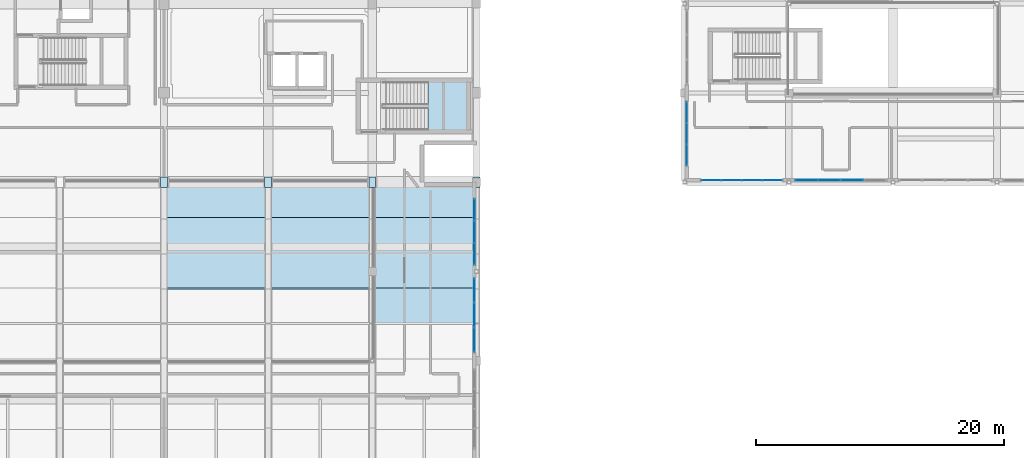
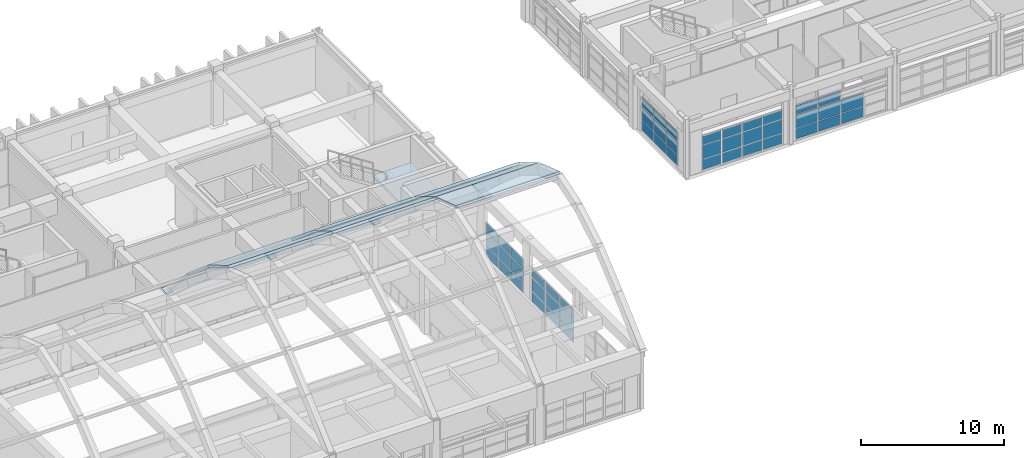
# One storey, part 77 of 103: 51 plates, 11 slabs, 6 elements without a shape of their own.
"""IFC4 building model written with IfcOpenShell, lengths in metres."""

from ifc_helpers import new_model, si_unit, direction, frame, origin, origin_2d, place, context, subcontext, project, spatial, polyline, rectangle, outline, extrude, material, layer, layer_set, type_object, element, aggregate, save


model = new_model("IFC4")

# Units and contexts
model_context = context("Model", 3, precision=1e-05, world=origin(), true_north=direction((0.0, 1.0)))
body_context = subcontext(model_context, "Body", "Model", "MODEL_VIEW")
ifc_project = project(units=[si_unit("LENGTHUNIT", "METRE"), si_unit("AREAUNIT", "SQUARE_METRE"), si_unit("VOLUMEUNIT", "CUBIC_METRE"), si_unit("PLANEANGLEUNIT", "RADIAN"), si_unit("MASSUNIT", "GRAM", prefix="KILO")], contexts=[model_context])

# Site, building, storey
site_placement = place(None, origin())
site = spatial("IfcSite", under=ifc_project, at=site_placement, CompositionType="ELEMENT")
building_placement = place(site_placement, origin())
building = spatial("IfcBuilding", under=site, at=building_placement, Name="Quendrovan Civic Courthouse", CompositionType="ELEMENT")
storey_placement = place(building_placement, frame((0.0, 0.0, 15.300048828125)))
storey = spatial("IfcBuildingStorey", under=building, at=storey_placement, Name="L04", CompositionType="ELEMENT", Elevation=15.300048828125)

# Curtain wall, plates
ifc_material_1 = material(Name="Bronze anodised aluminium and low-E glass", Category="aluminium")
ifc_layer_1 = layer(ifc_material_1, 0.179931640625, Name="Bronze anodised aluminium and low-E glass")
ifc_layer_set_1 = layer_set([ifc_layer_1], Name="Bronze anodised aluminium and low-E glass")
curtain_wall_type_1 = type_object("IfcCurtainWallType", Name="CW-U60x30", PredefinedType="USERDEFINED", material=ifc_layer_set_1)
curtain_wall_1_placement = place(storey_placement, origin())
curtain_wall_1 = element("IfcCurtainWall", 1, at=curtain_wall_1_placement, inside=storey, type_object=curtain_wall_type_1, Name="L04 Unitised Hurricane Curtain Wall CW-156", ObjectType="UNITISED CURTAIN WALL", PredefinedType="USERDEFINED")
ifc_material_2 = material(Name="Laminated hurricane-impact low-E glass", Category="glass")
ifc_layer_2 = layer(ifc_material_2, 0.028076171875, Name="Laminated hurricane-impact low-E glass")
ifc_layer_set_2 = layer_set([ifc_layer_2], Name="Laminated hurricane-impact low-E glass")
plate_type_1 = type_object("IfcPlateType", Name="CW-PNL-1", PredefinedType="CURTAIN_PANEL", material=ifc_layer_set_2)
plate_1_placement = place(storey_placement, frame((92.235107421875, 78.87841796875, 0.06982421875), z_axis=(0.0, 0.0, 1.0), x_axis=(0.0, -1.0, 0.0)))
plate_1 = element("IfcPlate", 2, at=plate_1_placement, type_object=plate_type_1, Name="CW-156 panel 1.1", PredefinedType="CURTAIN_PANEL", context=body_context, shape_type="SweptSolid", body=[
    extrude(rectangle(XDim=1.9033203125, YDim=0.028076171875, at=origin_2d()), origin(), (0.0, 0.0, 1.0), 0.844970703125),
])
plate_2_placement = place(storey_placement, frame((92.235107421875, 78.87841796875, 0.985107421875), z_axis=(0.0, 0.0, 1.0), x_axis=(0.0, -1.0, 0.0)))
plate_2 = element("IfcPlate", 3, at=plate_2_placement, type_object=plate_type_1, Name="CW-156 panel 1.2", PredefinedType="CURTAIN_PANEL", context=body_context, shape_type="SweptSolid", body=[
    extrude(rectangle(XDim=1.9033203125, YDim=0.028076171875, at=origin_2d()), origin(), (0.0, 0.0, 1.0), 1.1298828125),
])
plate_3_placement = place(storey_placement, frame((92.235107421875, 78.87841796875, 2.18505859375), z_axis=(0.0, 0.0, 1.0), x_axis=(0.0, -1.0, 0.0)))
plate_3 = element("IfcPlate", 4, at=plate_3_placement, type_object=plate_type_1, Name="CW-156 panel 1.3", PredefinedType="CURTAIN_PANEL", context=body_context, shape_type="SweptSolid", body=[
    extrude(rectangle(XDim=1.9033203125, YDim=0.028076171875, at=origin_2d()), origin(), (0.0, 0.0, 1.0), 0.715087890625),
])
plate_4_placement = place(storey_placement, frame((92.235107421875, 76.887451171875, 0.06982421875), z_axis=(0.0, 0.0, 1.0), x_axis=(0.0, -1.0, 0.0)))
plate_4 = element("IfcPlate", 5, at=plate_4_placement, type_object=plate_type_1, Name="CW-156 panel 2.1", PredefinedType="CURTAIN_PANEL", context=body_context, shape_type="SweptSolid", body=[
    extrude(rectangle(XDim=1.938232421875, YDim=0.028076171875, at=origin_2d()), origin(), (0.0, 0.0, 1.0), 0.844970703125),
])
plate_5_placement = place(storey_placement, frame((92.235107421875, 76.887451171875, 0.985107421875), z_axis=(0.0, 0.0, 1.0), x_axis=(0.0, -1.0, 0.0)))
plate_5 = element("IfcPlate", 6, at=plate_5_placement, type_object=plate_type_1, Name="CW-156 panel 2.2", PredefinedType="CURTAIN_PANEL", context=body_context, shape_type="SweptSolid", body=[
    extrude(rectangle(XDim=1.938232421875, YDim=0.028076171875, at=origin_2d()), origin(), (0.0, 0.0, 1.0), 1.1298828125),
])
plate_6_placement = place(storey_placement, frame((92.235107421875, 76.887451171875, 2.18505859375), z_axis=(0.0, 0.0, 1.0), x_axis=(0.0, -1.0, 0.0)))
plate_6 = element("IfcPlate", 7, at=plate_6_placement, type_object=plate_type_1, Name="CW-156 panel 2.3", PredefinedType="CURTAIN_PANEL", context=body_context, shape_type="SweptSolid", body=[
    extrude(rectangle(XDim=1.938232421875, YDim=0.028076171875, at=origin_2d()), origin(), (0.0, 0.0, 1.0), 0.715087890625),
])
plate_7_placement = place(storey_placement, frame((92.235107421875, 74.896728515625, 0.06982421875), z_axis=(0.0, 0.0, 1.0), x_axis=(0.0, -1.0, 0.0)))
plate_7 = element("IfcPlate", 8, at=plate_7_placement, type_object=plate_type_1, Name="CW-156 panel 3.1", PredefinedType="CURTAIN_PANEL", context=body_context, shape_type="SweptSolid", body=[
    extrude(rectangle(XDim=1.9033203125, YDim=0.028076171875, at=origin_2d()), origin(), (0.0, 0.0, 1.0), 0.844970703125),
])
plate_8_placement = place(storey_placement, frame((92.235107421875, 74.896728515625, 0.985107421875), z_axis=(0.0, 0.0, 1.0), x_axis=(0.0, -1.0, 0.0)))
plate_8 = element("IfcPlate", 9, at=plate_8_placement, type_object=plate_type_1, Name="CW-156 panel 3.2", PredefinedType="CURTAIN_PANEL", context=body_context, shape_type="SweptSolid", body=[
    extrude(rectangle(XDim=1.9033203125, YDim=0.028076171875, at=origin_2d()), origin(), (0.0, 0.0, 1.0), 1.1298828125),
])
plate_9_placement = place(storey_placement, frame((92.235107421875, 74.896728515625, 2.18505859375), z_axis=(0.0, 0.0, 1.0), x_axis=(0.0, -1.0, 0.0)))
plate_9 = element("IfcPlate", 10, at=plate_9_placement, type_object=plate_type_1, Name="CW-156 panel 3.3", PredefinedType="CURTAIN_PANEL", context=body_context, shape_type="SweptSolid", body=[
    extrude(rectangle(XDim=1.9033203125, YDim=0.028076171875, at=origin_2d()), origin(), (0.0, 0.0, 1.0), 0.715087890625),
])
aggregate(curtain_wall_1, [plate_1, plate_2, plate_3, plate_4, plate_5, plate_6, plate_7, plate_8, plate_9])

ifc_layer_3 = layer(ifc_material_1, 0.179931640625, Name="Bronze anodised aluminium and low-E glass")
ifc_layer_set_3 = layer_set([ifc_layer_3], Name="Bronze anodised aluminium and low-E glass")
curtain_wall_type_2 = type_object("IfcCurtainWallType", Name="CW-U66x30", PredefinedType="USERDEFINED", material=ifc_layer_set_3)
curtain_wall_2_placement = place(storey_placement, origin())
curtain_wall_2 = element("IfcCurtainWall", 11, at=curtain_wall_2_placement, inside=storey, type_object=curtain_wall_type_2, Name="L04 Unitised Hurricane Curtain Wall CW-176", ObjectType="UNITISED CURTAIN WALL", PredefinedType="USERDEFINED")
plate_10_placement = place(storey_placement, frame((116.257568359375, 87.764892578125, 0.06982421875), z_axis=(0.0, 0.0, 1.0), x_axis=(-1.0, 0.0, 0.0)))
plate_10 = element("IfcPlate", 12, at=plate_10_placement, type_object=plate_type_1, Name="CW-176 panel 1.1", PredefinedType="CURTAIN_PANEL", context=body_context, shape_type="SweptSolid", body=[
    extrude(rectangle(XDim=1.544921875, YDim=0.028076171875, at=origin_2d()), origin(), (0.0, 0.0, 1.0), 0.844970703125),
])
plate_11_placement = place(storey_placement, frame((116.257568359375, 87.764892578125, 0.985107421875), z_axis=(0.0, 0.0, 1.0), x_axis=(-1.0, 0.0, 0.0)))
plate_11 = element("IfcPlate", 13, at=plate_11_placement, type_object=plate_type_1, Name="CW-176 panel 1.2", PredefinedType="CURTAIN_PANEL", context=body_context, shape_type="SweptSolid", body=[
    extrude(rectangle(XDim=1.544921875, YDim=0.028076171875, at=origin_2d()), origin(), (0.0, 0.0, 1.0), 1.1298828125),
])
plate_12_placement = place(storey_placement, frame((116.257568359375, 87.764892578125, 2.18505859375), z_axis=(0.0, 0.0, 1.0), x_axis=(-1.0, 0.0, 0.0)))
plate_12 = element("IfcPlate", 14, at=plate_12_placement, type_object=plate_type_1, Name="CW-176 panel 1.3", PredefinedType="CURTAIN_PANEL", context=body_context, shape_type="SweptSolid", body=[
    extrude(rectangle(XDim=1.544921875, YDim=0.028076171875, at=origin_2d()), origin(), (0.0, 0.0, 1.0), 0.715087890625),
])
plate_13_placement = place(storey_placement, frame((114.625, 87.764892578125, 0.06982421875), z_axis=(0.0, 0.0, 1.0), x_axis=(-1.0, 0.0, 0.0)))
plate_13 = element("IfcPlate", 15, at=plate_13_placement, type_object=plate_type_1, Name="CW-176 panel 2.1", PredefinedType="CURTAIN_PANEL", context=body_context, shape_type="SweptSolid", body=[
    extrude(rectangle(XDim=1.580078125, YDim=0.028076171875, at=origin_2d()), origin(), (0.0, 0.0, 1.0), 0.844970703125),
])
plate_14_placement = place(storey_placement, frame((114.625, 87.764892578125, 0.985107421875), z_axis=(0.0, 0.0, 1.0), x_axis=(-1.0, 0.0, 0.0)))
plate_14 = element("IfcPlate", 16, at=plate_14_placement, type_object=plate_type_1, Name="CW-176 panel 2.2", PredefinedType="CURTAIN_PANEL", context=body_context, shape_type="SweptSolid", body=[
    extrude(rectangle(XDim=1.580078125, YDim=0.028076171875, at=origin_2d()), origin(), (0.0, 0.0, 1.0), 1.1298828125),
])
plate_15_placement = place(storey_placement, frame((114.625, 87.764892578125, 2.18505859375), z_axis=(0.0, 0.0, 1.0), x_axis=(-1.0, 0.0, 0.0)))
plate_15 = element("IfcPlate", 17, at=plate_15_placement, type_object=plate_type_1, Name="CW-176 panel 2.3", PredefinedType="CURTAIN_PANEL", context=body_context, shape_type="SweptSolid", body=[
    extrude(rectangle(XDim=1.580078125, YDim=0.028076171875, at=origin_2d()), origin(), (0.0, 0.0, 1.0), 0.715087890625),
])
plate_16_placement = place(storey_placement, frame((112.97509765625, 87.764892578125, 0.06982421875), z_axis=(0.0, 0.0, 1.0), x_axis=(-1.0, 0.0, 0.0)))
plate_16 = element("IfcPlate", 18, at=plate_16_placement, type_object=plate_type_1, Name="CW-176 panel 3.1", PredefinedType="CURTAIN_PANEL", context=body_context, shape_type="SweptSolid", body=[
    extrude(rectangle(XDim=1.580078125, YDim=0.028076171875, at=origin_2d()), origin(), (0.0, 0.0, 1.0), 0.844970703125),
])
plate_17_placement = place(storey_placement, frame((112.97509765625, 87.764892578125, 0.985107421875), z_axis=(0.0, 0.0, 1.0), x_axis=(-1.0, 0.0, 0.0)))
plate_17 = element("IfcPlate", 19, at=plate_17_placement, type_object=plate_type_1, Name="CW-176 panel 3.2", PredefinedType="CURTAIN_PANEL", context=body_context, shape_type="SweptSolid", body=[
    extrude(rectangle(XDim=1.580078125, YDim=0.028076171875, at=origin_2d()), origin(), (0.0, 0.0, 1.0), 1.1298828125),
])
plate_18_placement = place(storey_placement, frame((112.97509765625, 87.764892578125, 2.18505859375), z_axis=(0.0, 0.0, 1.0), x_axis=(-1.0, 0.0, 0.0)))
plate_18 = element("IfcPlate", 20, at=plate_18_placement, type_object=plate_type_1, Name="CW-176 panel 3.3", PredefinedType="CURTAIN_PANEL", context=body_context, shape_type="SweptSolid", body=[
    extrude(rectangle(XDim=1.580078125, YDim=0.028076171875, at=origin_2d()), origin(), (0.0, 0.0, 1.0), 0.715087890625),
])
plate_19_placement = place(storey_placement, frame((111.342529296875, 87.764892578125, 0.06982421875), z_axis=(0.0, 0.0, 1.0), x_axis=(-1.0, 0.0, 0.0)))
plate_19 = element("IfcPlate", 21, at=plate_19_placement, type_object=plate_type_1, Name="CW-176 panel 4.1", PredefinedType="CURTAIN_PANEL", context=body_context, shape_type="SweptSolid", body=[
    extrude(rectangle(XDim=1.544921875, YDim=0.028076171875, at=origin_2d()), origin(), (0.0, 0.0, 1.0), 0.844970703125),
])
plate_20_placement = place(storey_placement, frame((111.342529296875, 87.764892578125, 0.985107421875), z_axis=(0.0, 0.0, 1.0), x_axis=(-1.0, 0.0, 0.0)))
plate_20 = element("IfcPlate", 22, at=plate_20_placement, type_object=plate_type_1, Name="CW-176 panel 4.2", PredefinedType="CURTAIN_PANEL", context=body_context, shape_type="SweptSolid", body=[
    extrude(rectangle(XDim=1.544921875, YDim=0.028076171875, at=origin_2d()), origin(), (0.0, 0.0, 1.0), 1.1298828125),
])
plate_21_placement = place(storey_placement, frame((111.342529296875, 87.764892578125, 2.18505859375), z_axis=(0.0, 0.0, 1.0), x_axis=(-1.0, 0.0, 0.0)))
plate_21 = element("IfcPlate", 23, at=plate_21_placement, type_object=plate_type_1, Name="CW-176 panel 4.3", PredefinedType="CURTAIN_PANEL", context=body_context, shape_type="SweptSolid", body=[
    extrude(rectangle(XDim=1.544921875, YDim=0.028076171875, at=origin_2d()), origin(), (0.0, 0.0, 1.0), 0.715087890625),
])
aggregate(curtain_wall_2, [plate_10, plate_11, plate_12, plate_13, plate_14, plate_15, plate_16, plate_17, plate_18, plate_19, plate_20, plate_21])

ifc_layer_4 = layer(ifc_material_1, 0.179931640625, Name="Bronze anodised aluminium and low-E glass")
ifc_layer_set_4 = layer_set([ifc_layer_4], Name="Bronze anodised aluminium and low-E glass")
curtain_wall_type_3 = type_object("IfcCurtainWallType", Name="CW-U52x30", PredefinedType="USERDEFINED", material=ifc_layer_set_4)
curtain_wall_3_placement = place(storey_placement, origin())
curtain_wall_3 = element("IfcCurtainWall", 24, at=curtain_wall_3_placement, inside=storey, type_object=curtain_wall_type_3, Name="L04 Unitised Hurricane Curtain Wall CW-177", ObjectType="UNITISED CURTAIN WALL", PredefinedType="USERDEFINED")
ifc_layer_5 = layer(ifc_material_2, 0.031982421875, Name="Laminated hurricane-impact low-E glass")
ifc_layer_set_5 = layer_set([ifc_layer_5], Name="Laminated hurricane-impact low-E glass")
plate_type_2 = type_object("IfcPlateType", Name="CW-PNL-2", PredefinedType="CURTAIN_PANEL", material=ifc_layer_set_5)
plate_22_placement = place(storey_placement, frame((109.364990234375, 89.787109375, 0.06494140625), z_axis=(0.0, 0.0, 1.0), x_axis=(0.0, 1.0, 0.0)))
plate_22 = element("IfcPlate", 25, at=plate_22_placement, type_object=plate_type_2, Name="CW-177 panel 1.1", PredefinedType="CURTAIN_PANEL", context=body_context, shape_type="SweptSolid", body=[
    extrude(rectangle(XDim=1.644287109375, YDim=0.031982421875, at=origin_2d()), origin(), (0.0, 0.0, 1.0), 0.8525390625),
])
plate_23_placement = place(storey_placement, frame((109.364990234375, 89.787109375, 0.982421875), z_axis=(0.0, 0.0, 1.0), x_axis=(0.0, 1.0, 0.0)))
plate_23 = element("IfcPlate", 26, at=plate_23_placement, type_object=plate_type_2, Name="CW-177 panel 1.2", PredefinedType="CURTAIN_PANEL", context=body_context, shape_type="SweptSolid", body=[
    extrude(rectangle(XDim=1.644287109375, YDim=0.031982421875, at=origin_2d()), origin(), (0.0, 0.0, 1.0), 1.135009765625),
])
plate_24_placement = place(storey_placement, frame((109.364990234375, 89.787109375, 2.1826171875), z_axis=(0.0, 0.0, 1.0), x_axis=(0.0, 1.0, 0.0)))
plate_24 = element("IfcPlate", 27, at=plate_24_placement, type_object=plate_type_2, Name="CW-177 panel 1.3", PredefinedType="CURTAIN_PANEL", context=body_context, shape_type="SweptSolid", body=[
    extrude(rectangle(XDim=1.644287109375, YDim=0.031982421875, at=origin_2d()), origin(), (0.0, 0.0, 1.0), 0.722412109375),
])
plate_25_placement = place(storey_placement, frame((109.364990234375, 91.512451171875, 0.06494140625), z_axis=(0.0, 0.0, 1.0), x_axis=(0.0, 1.0, 0.0)))
plate_25 = element("IfcPlate", 28, at=plate_25_placement, type_object=plate_type_2, Name="CW-177 panel 2.1", PredefinedType="CURTAIN_PANEL", context=body_context, shape_type="SweptSolid", body=[
    extrude(rectangle(XDim=1.6767578125, YDim=0.031982421875, at=origin_2d()), origin(), (0.0, 0.0, 1.0), 0.8525390625),
])
plate_26_placement = place(storey_placement, frame((109.364990234375, 91.512451171875, 0.982421875), z_axis=(0.0, 0.0, 1.0), x_axis=(0.0, 1.0, 0.0)))
plate_26 = element("IfcPlate", 29, at=plate_26_placement, type_object=plate_type_2, Name="CW-177 panel 2.2", PredefinedType="CURTAIN_PANEL", context=body_context, shape_type="SweptSolid", body=[
    extrude(rectangle(XDim=1.6767578125, YDim=0.031982421875, at=origin_2d()), origin(), (0.0, 0.0, 1.0), 1.135009765625),
])
plate_27_placement = place(storey_placement, frame((109.364990234375, 91.512451171875, 2.1826171875), z_axis=(0.0, 0.0, 1.0), x_axis=(0.0, 1.0, 0.0)))
plate_27 = element("IfcPlate", 30, at=plate_27_placement, type_object=plate_type_2, Name="CW-177 panel 2.3", PredefinedType="CURTAIN_PANEL", context=body_context, shape_type="SweptSolid", body=[
    extrude(rectangle(XDim=1.6767578125, YDim=0.031982421875, at=origin_2d()), origin(), (0.0, 0.0, 1.0), 0.722412109375),
])
plate_28_placement = place(storey_placement, frame((109.364990234375, 93.238037109375, 0.06494140625), z_axis=(0.0, 0.0, 1.0), x_axis=(0.0, 1.0, 0.0)))
plate_28 = element("IfcPlate", 31, at=plate_28_placement, type_object=plate_type_2, Name="CW-177 panel 3.1", PredefinedType="CURTAIN_PANEL", context=body_context, shape_type="SweptSolid", body=[
    extrude(rectangle(XDim=1.644287109375, YDim=0.031982421875, at=origin_2d()), origin(), (0.0, 0.0, 1.0), 0.8525390625),
])
plate_29_placement = place(storey_placement, frame((109.364990234375, 93.238037109375, 0.982421875), z_axis=(0.0, 0.0, 1.0), x_axis=(0.0, 1.0, 0.0)))
plate_29 = element("IfcPlate", 32, at=plate_29_placement, type_object=plate_type_2, Name="CW-177 panel 3.2", PredefinedType="CURTAIN_PANEL", context=body_context, shape_type="SweptSolid", body=[
    extrude(rectangle(XDim=1.644287109375, YDim=0.031982421875, at=origin_2d()), origin(), (0.0, 0.0, 1.0), 1.135009765625),
])
plate_30_placement = place(storey_placement, frame((109.364990234375, 93.238037109375, 2.1826171875), z_axis=(0.0, 0.0, 1.0), x_axis=(0.0, 1.0, 0.0)))
plate_30 = element("IfcPlate", 33, at=plate_30_placement, type_object=plate_type_2, Name="CW-177 panel 3.3", PredefinedType="CURTAIN_PANEL", context=body_context, shape_type="SweptSolid", body=[
    extrude(rectangle(XDim=1.644287109375, YDim=0.031982421875, at=origin_2d()), origin(), (0.0, 0.0, 1.0), 0.722412109375),
])
aggregate(curtain_wall_3, [plate_22, plate_23, plate_24, plate_25, plate_26, plate_27, plate_28, plate_29, plate_30])

ifc_layer_6 = layer(ifc_material_1, 0.179931640625, Name="Bronze anodised aluminium and low-E glass")
ifc_layer_set_6 = layer_set([ifc_layer_6], Name="Bronze anodised aluminium and low-E glass")
curtain_wall_type_4 = type_object("IfcCurtainWallType", Name="CW-U54x30", PredefinedType="USERDEFINED", material=ifc_layer_set_6)
curtain_wall_4_placement = place(storey_placement, origin())
curtain_wall_4 = element("IfcCurtainWall", 34, at=curtain_wall_4_placement, inside=storey, type_object=curtain_wall_type_4, Name="L04 Unitised Hurricane Curtain Wall CW-155", ObjectType="UNITISED CURTAIN WALL", PredefinedType="USERDEFINED")
ifc_layer_7 = layer(ifc_material_2, 0.0419921875, Name="Laminated hurricane-impact low-E glass")
ifc_layer_set_7 = layer_set([ifc_layer_7], Name="Laminated hurricane-impact low-E glass")
plate_type_3 = type_object("IfcPlateType", Name="CW-PNL-4", PredefinedType="CURTAIN_PANEL", material=ifc_layer_set_7)
plate_31_placement = place(storey_placement, frame((92.235107421875, 85.3837890625, 0.06494140625), z_axis=(0.0, 0.0, 1.0), x_axis=(0.0, -1.0, 0.0)))
plate_31 = element("IfcPlate", 35, at=plate_31_placement, type_object=plate_type_3, Name="CW-155 panel 1.1", PredefinedType="CURTAIN_PANEL", context=body_context, shape_type="SweptSolid", body=[
    extrude(rectangle(XDim=1.702392578125, YDim=0.0419921875, at=origin_2d()), origin(), (0.0, 0.0, 1.0), 0.8525390625),
])
plate_32_placement = place(storey_placement, frame((92.235107421875, 85.3837890625, 0.982421875), z_axis=(0.0, 0.0, 1.0), x_axis=(0.0, -1.0, 0.0)))
plate_32 = element("IfcPlate", 36, at=plate_32_placement, type_object=plate_type_3, Name="CW-155 panel 1.2", PredefinedType="CURTAIN_PANEL", context=body_context, shape_type="SweptSolid", body=[
    extrude(rectangle(XDim=1.702392578125, YDim=0.0419921875, at=origin_2d()), origin(), (0.0, 0.0, 1.0), 1.135009765625),
])
plate_33_placement = place(storey_placement, frame((92.235107421875, 85.3837890625, 2.1826171875), z_axis=(0.0, 0.0, 1.0), x_axis=(0.0, -1.0, 0.0)))
plate_33 = element("IfcPlate", 37, at=plate_33_placement, type_object=plate_type_3, Name="CW-155 panel 1.3", PredefinedType="CURTAIN_PANEL", context=body_context, shape_type="SweptSolid", body=[
    extrude(rectangle(XDim=1.702392578125, YDim=0.0419921875, at=origin_2d()), origin(), (0.0, 0.0, 1.0), 0.722412109375),
])
plate_34_placement = place(storey_placement, frame((92.235107421875, 83.60009765625, 0.06494140625), z_axis=(0.0, 0.0, 1.0), x_axis=(0.0, -1.0, 0.0)))
plate_34 = element("IfcPlate", 38, at=plate_34_placement, type_object=plate_type_3, Name="CW-155 panel 2.1", PredefinedType="CURTAIN_PANEL", context=body_context, shape_type="SweptSolid", body=[
    extrude(rectangle(XDim=1.735107421875, YDim=0.0419921875, at=origin_2d()), origin(), (0.0, 0.0, 1.0), 0.8525390625),
])
plate_35_placement = place(storey_placement, frame((92.235107421875, 83.60009765625, 0.982421875), z_axis=(0.0, 0.0, 1.0), x_axis=(0.0, -1.0, 0.0)))
plate_35 = element("IfcPlate", 39, at=plate_35_placement, type_object=plate_type_3, Name="CW-155 panel 2.2", PredefinedType="CURTAIN_PANEL", context=body_context, shape_type="SweptSolid", body=[
    extrude(rectangle(XDim=1.735107421875, YDim=0.0419921875, at=origin_2d()), origin(), (0.0, 0.0, 1.0), 1.135009765625),
])
plate_36_placement = place(storey_placement, frame((92.235107421875, 83.60009765625, 2.1826171875), z_axis=(0.0, 0.0, 1.0), x_axis=(0.0, -1.0, 0.0)))
plate_36 = element("IfcPlate", 40, at=plate_36_placement, type_object=plate_type_3, Name="CW-155 panel 2.3", PredefinedType="CURTAIN_PANEL", context=body_context, shape_type="SweptSolid", body=[
    extrude(rectangle(XDim=1.735107421875, YDim=0.0419921875, at=origin_2d()), origin(), (0.0, 0.0, 1.0), 0.722412109375),
])
plate_37_placement = place(storey_placement, frame((92.235107421875, 81.816162109375, 0.06494140625), z_axis=(0.0, 0.0, 1.0), x_axis=(0.0, -1.0, 0.0)))
plate_37 = element("IfcPlate", 41, at=plate_37_placement, type_object=plate_type_3, Name="CW-155 panel 3.1", PredefinedType="CURTAIN_PANEL", context=body_context, shape_type="SweptSolid", body=[
    extrude(rectangle(XDim=1.702392578125, YDim=0.0419921875, at=origin_2d()), origin(), (0.0, 0.0, 1.0), 0.8525390625),
])
plate_38_placement = place(storey_placement, frame((92.235107421875, 81.816162109375, 0.982421875), z_axis=(0.0, 0.0, 1.0), x_axis=(0.0, -1.0, 0.0)))
plate_38 = element("IfcPlate", 42, at=plate_38_placement, type_object=plate_type_3, Name="CW-155 panel 3.2", PredefinedType="CURTAIN_PANEL", context=body_context, shape_type="SweptSolid", body=[
    extrude(rectangle(XDim=1.702392578125, YDim=0.0419921875, at=origin_2d()), origin(), (0.0, 0.0, 1.0), 1.135009765625),
])
plate_39_placement = place(storey_placement, frame((92.235107421875, 81.816162109375, 2.1826171875), z_axis=(0.0, 0.0, 1.0), x_axis=(0.0, -1.0, 0.0)))
plate_39 = element("IfcPlate", 43, at=plate_39_placement, type_object=plate_type_3, Name="CW-155 panel 3.3", PredefinedType="CURTAIN_PANEL", context=body_context, shape_type="SweptSolid", body=[
    extrude(rectangle(XDim=1.702392578125, YDim=0.0419921875, at=origin_2d()), origin(), (0.0, 0.0, 1.0), 0.722412109375),
])
aggregate(curtain_wall_4, [plate_31, plate_32, plate_33, plate_34, plate_35, plate_36, plate_37, plate_38, plate_39])

ifc_layer_8 = layer(ifc_material_1, 0.179931640625, Name="Bronze anodised aluminium and low-E glass")
ifc_layer_set_8 = layer_set([ifc_layer_8], Name="Bronze anodised aluminium and low-E glass")
curtain_wall_type_5 = type_object("IfcCurtainWallType", Name="CW-U74x30", PredefinedType="USERDEFINED", material=ifc_layer_set_8)
curtain_wall_5_placement = place(storey_placement, origin())
curtain_wall_5 = element("IfcCurtainWall", 44, at=curtain_wall_5_placement, inside=storey, type_object=curtain_wall_type_5, Name="L04 Unitised Hurricane Curtain Wall CW-175", ObjectType="UNITISED CURTAIN WALL", PredefinedType="USERDEFINED")
plate_40_placement = place(storey_placement, frame((122.72509765625, 87.764892578125, 0.06494140625), z_axis=(0.0, 0.0, 1.0), x_axis=(-1.0, 0.0, 0.0)))
plate_40 = element("IfcPlate", 45, at=plate_40_placement, type_object=plate_type_3, Name="CW-175 panel 2.1", PredefinedType="CURTAIN_PANEL", context=body_context, shape_type="SweptSolid", body=[
    extrude(rectangle(XDim=1.784912109375, YDim=0.0419921875, at=origin_2d()), origin(), (0.0, 0.0, 1.0), 0.8525390625),
])
plate_41_placement = place(storey_placement, frame((122.72509765625, 87.764892578125, 0.982421875), z_axis=(0.0, 0.0, 1.0), x_axis=(-1.0, 0.0, 0.0)))
plate_41 = element("IfcPlate", 46, at=plate_41_placement, type_object=plate_type_3, Name="CW-175 panel 2.2", PredefinedType="CURTAIN_PANEL", context=body_context, shape_type="SweptSolid", body=[
    extrude(rectangle(XDim=1.784912109375, YDim=0.0419921875, at=origin_2d()), origin(), (0.0, 0.0, 1.0), 1.135009765625),
])
plate_42_placement = place(storey_placement, frame((120.875, 87.764892578125, 0.06494140625), z_axis=(0.0, 0.0, 1.0), x_axis=(-1.0, 0.0, 0.0)))
plate_42 = element("IfcPlate", 47, at=plate_42_placement, type_object=plate_type_3, Name="CW-175 panel 3.1", PredefinedType="CURTAIN_PANEL", context=body_context, shape_type="SweptSolid", body=[
    extrude(rectangle(XDim=1.784912109375, YDim=0.0419921875, at=origin_2d()), origin(), (0.0, 0.0, 1.0), 0.8525390625),
])
plate_43_placement = place(storey_placement, frame((120.875, 87.764892578125, 0.982421875), z_axis=(0.0, 0.0, 1.0), x_axis=(-1.0, 0.0, 0.0)))
plate_43 = element("IfcPlate", 48, at=plate_43_placement, type_object=plate_type_3, Name="CW-175 panel 3.2", PredefinedType="CURTAIN_PANEL", context=body_context, shape_type="SweptSolid", body=[
    extrude(rectangle(XDim=1.784912109375, YDim=0.0419921875, at=origin_2d()), origin(), (0.0, 0.0, 1.0), 1.135009765625),
])
plate_44_placement = place(storey_placement, frame((120.875, 87.764892578125, 2.1826171875), z_axis=(0.0, 0.0, 1.0), x_axis=(-1.0, 0.0, 0.0)))
plate_44 = element("IfcPlate", 49, at=plate_44_placement, type_object=plate_type_3, Name="CW-175 panel 3.3", PredefinedType="CURTAIN_PANEL", context=body_context, shape_type="SweptSolid", body=[
    extrude(rectangle(XDim=1.784912109375, YDim=0.0419921875, at=origin_2d()), origin(), (0.0, 0.0, 1.0), 0.722412109375),
])
plate_45_placement = place(storey_placement, frame((119.041259765625, 87.764892578125, 0.06494140625), z_axis=(0.0, 0.0, 1.0), x_axis=(-1.0, 0.0, 0.0)))
plate_45 = element("IfcPlate", 50, at=plate_45_placement, type_object=plate_type_3, Name="CW-175 panel 4.1", PredefinedType="CURTAIN_PANEL", context=body_context, shape_type="SweptSolid", body=[
    extrude(rectangle(XDim=1.75244140625, YDim=0.0419921875, at=origin_2d()), origin(), (0.0, 0.0, 1.0), 0.8525390625),
])
plate_46_placement = place(storey_placement, frame((119.041259765625, 87.764892578125, 0.982421875), z_axis=(0.0, 0.0, 1.0), x_axis=(-1.0, 0.0, 0.0)))
plate_46 = element("IfcPlate", 51, at=plate_46_placement, type_object=plate_type_3, Name="CW-175 panel 4.2", PredefinedType="CURTAIN_PANEL", context=body_context, shape_type="SweptSolid", body=[
    extrude(rectangle(XDim=1.75244140625, YDim=0.0419921875, at=origin_2d()), origin(), (0.0, 0.0, 1.0), 1.135009765625),
])
plate_47_placement = place(storey_placement, frame((119.041259765625, 87.764892578125, 2.1826171875), z_axis=(0.0, 0.0, 1.0), x_axis=(-1.0, 0.0, 0.0)))
plate_47 = element("IfcPlate", 52, at=plate_47_placement, type_object=plate_type_3, Name="CW-175 panel 4.3", PredefinedType="CURTAIN_PANEL", context=body_context, shape_type="SweptSolid", body=[
    extrude(rectangle(XDim=1.75244140625, YDim=0.0419921875, at=origin_2d()), origin(), (0.0, 0.0, 1.0), 0.722412109375),
])
aggregate(curtain_wall_5, [plate_40, plate_41, plate_42, plate_43, plate_44, plate_45, plate_46, plate_47])

# Plates
ifc_material_3 = material(Name="Steel ASTM A572 Grade 50", Category="steel")
ifc_layer_9 = layer(ifc_material_3, 0.0400390625, Name="Steel ASTM A572 Grade 50")
ifc_layer_set_9 = layer_set([ifc_layer_9], Name="Steel ASTM A572 Grade 50")
plate_type_4 = type_object("IfcPlateType", Name="PLT-BASE-40", PredefinedType="USERDEFINED", material=ifc_layer_set_9)
for number, where, z_axis, x_axis, name in (
    (53, (67.199951171875, 87.60009765625, 5.059814453125), (0.0, 0.0, 1.0), (1.0, 0.0, 0.0), "BV2 Vault Springing Bearing Plate A5-N"),
    (54, (75.60009765625, 87.60009765625, 5.059814453125), (0.0, 0.0, 1.0), (1.0, 0.0, 0.0), "BV2 Vault Springing Bearing Plate A6-N"),
    (55, (84.0, 87.60009765625, 5.059814453125), (0.0, 0.0, 1.0), (1.0, 0.0, 0.0), "BV2 Vault Springing Bearing Plate A7-N"),
    (56, (92.39990234375, 87.60009765625, 5.059814453125), (0.0, 0.0, 1.0), (1.0, 0.0, 0.0), "BV2 Vault Springing Bearing Plate A8-N"),
):
    element("IfcPlate", number, at=place(storey_placement, frame(where, z_axis=z_axis, x_axis=x_axis)), inside=storey, type_object=plate_type_4, Name=name, ObjectType="BASE PLATE", PredefinedType="USERDEFINED", context=body_context, shape_type="SweptSolid", body=[
        extrude(rectangle(XDim=0.550048828125, YDim=0.85009765625, at=origin_2d()), origin(), (0.0, 0.0, 1.0), 0.0400390625),
    ])

# Stair, slab
ifc_material_4 = material(Name="Concrete C40/50", Category="concrete")
stair_type = type_object("IfcStairType", Name="STR-CORE-5100", PredefinedType="HALF_TURN_STAIR", material=ifc_material_4)
stair_placement = place(storey_placement, origin())
stair = element("IfcStair", 57, at=stair_placement, inside=storey, type_object=stair_type, Name="L04 East Court Block Exit Stair 3", PredefinedType="HALF_TURN_STAIR")
ifc_layer_10 = layer(ifc_material_4, 0.199951171875, Name="Concrete C40/50")
ifc_layer_set_10 = layer_set([ifc_layer_10], Name="Concrete C40/50")
slab_type_1 = type_object("IfcSlabType", Name="SLB-STAIR-LND200", PredefinedType="LANDING", material=ifc_layer_set_10)
slab_1_placement = place(storey_placement, frame((0.0, 0.0, 2.349853515625)))
slab_1 = element("IfcSlab", 58, at=slab_1_placement, type_object=slab_type_1, Name="ST3 landing 1", PredefinedType="LANDING", context=body_context, shape_type="SweptSolid", body=[
    extrude(outline(polyline([(88.489990234375, 91.800048828125), (91.60009765625, 91.800048828125), (91.60009765625, 95.679931640625), (88.489990234375, 95.679931640625), (88.489990234375, 91.800048828125)])), origin(), (0.0, 0.0, 1.0), 0.2001953125),
])
aggregate(stair, [slab_1])

# Slabs
ifc_layer_11 = layer(ifc_material_4, 0.199951171875, Name="Concrete C40/50")
ifc_layer_set_11 = layer_set([ifc_layer_11], Name="Concrete C40/50")
slab_type_2 = type_object("IfcSlabType", Name="SLB-VAULT-200", PredefinedType="ROOF", material=ifc_layer_set_11)
slab_2_placement = place(storey_placement, frame((67.199951171875, 79.050048828125, 12.35693359375), z_axis=(0.0, 0.508035555366, 0.861336098445), x_axis=(1.0, 0.0, 0.0)))
element("IfcSlab", 59, at=slab_2_placement, inside=storey, type_object=slab_type_2, Name="BV2 Concrete Barrel Vault Shell Panel B5-C6", PredefinedType="ROOF", context=body_context, shape_type="SweptSolid", body=[
    extrude(outline(polyline([(0.0, 0.0), (8.400146484375, 0.0), (8.400146484375, 3.3086428407812605), (0.0, 3.3086428407812605), (0.0, 0.0)])), origin(), (0.0, 0.0, -1.0), 0.199951171875),
])
slab_3_placement = place(storey_placement, frame((67.199951171875, 81.89990234375, 10.676025390625), z_axis=(0.0, 0.647121264214, 0.762387086329), x_axis=(1.0, 0.0, 0.0)))
element("IfcSlab", 60, at=slab_3_placement, inside=storey, type_object=slab_type_2, Name="BV2 Concrete Barrel Vault Shell Panel B5-C7", PredefinedType="ROOF", context=body_context, shape_type="SweptSolid", body=[
    extrude(outline(polyline([(0.0, 0.0), (8.400146484375, 0.0), (8.400146484375, 3.7383865851825675), (0.0, 3.7383865851825675), (0.0, 0.0)])), origin(), (0.0, 0.0, -1.0), 0.199951171875),
])
slab_4_placement = place(storey_placement, frame((67.199951171875, 84.75, 8.2568359375), z_axis=(0.0, 0.742262886094, 0.670108803052), x_axis=(1.0, 0.0, 0.0)))
element("IfcSlab", 61, at=slab_4_placement, inside=storey, type_object=slab_type_2, Name="BV2 Concrete Barrel Vault Shell Panel B5-C8", PredefinedType="ROOF", context=body_context, shape_type="SweptSolid", body=[
    extrude(outline(polyline([(0.0, 0.0), (8.400146484375, 0.0), (8.400146484375, 4.253186412819156), (0.0, 4.253186412819156), (0.0, 0.0)])), origin(), (0.0, 0.0, -1.0), 0.199951171875),
])
slab_5_placement = place(storey_placement, frame((75.60009765625, 79.050048828125, 12.35693359375), z_axis=(0.0, 0.508035555366, 0.861336098445), x_axis=(1.0, 0.0, 0.0)))
element("IfcSlab", 62, at=slab_5_placement, inside=storey, type_object=slab_type_2, Name="BV2 Concrete Barrel Vault Shell Panel B6-C6", PredefinedType="ROOF", context=body_context, shape_type="SweptSolid", body=[
    extrude(outline(polyline([(0.0, 0.0), (8.39990234375, 0.0), (8.39990234375, 3.3086428407812605), (0.0, 3.3086428407812605), (0.0, 0.0)])), origin(), (0.0, 0.0, -1.0), 0.199951171875),
])
slab_6_placement = place(storey_placement, frame((75.60009765625, 81.89990234375, 10.676025390625), z_axis=(0.0, 0.647121264214, 0.762387086329), x_axis=(1.0, 0.0, 0.0)))
element("IfcSlab", 63, at=slab_6_placement, inside=storey, type_object=slab_type_2, Name="BV2 Concrete Barrel Vault Shell Panel B6-C7", PredefinedType="ROOF", context=body_context, shape_type="SweptSolid", body=[
    extrude(outline(polyline([(0.0, 0.0), (8.39990234375, 0.0), (8.39990234375, 3.7383865851825675), (0.0, 3.7383865851825675), (0.0, 0.0)])), origin(), (0.0, 0.0, -1.0), 0.199951171875),
])
slab_7_placement = place(storey_placement, frame((75.60009765625, 84.75, 8.2568359375), z_axis=(0.0, 0.742262886094, 0.670108803052), x_axis=(1.0, 0.0, 0.0)))
element("IfcSlab", 64, at=slab_7_placement, inside=storey, type_object=slab_type_2, Name="BV2 Concrete Barrel Vault Shell Panel B6-C8", PredefinedType="ROOF", context=body_context, shape_type="SweptSolid", body=[
    extrude(outline(polyline([(0.0, 0.0), (8.39990234375, 0.0), (8.39990234375, 4.253186412819156), (0.0, 4.253186412819156), (0.0, 0.0)])), origin(), (0.0, 0.0, -1.0), 0.199951171875),
])
slab_8_placement = place(storey_placement, frame((84.0, 76.235107421875, 13.29296875), z_axis=(0.0, 0.315536366073, 0.948913484826), x_axis=(1.0, 0.0, 0.0)))
element("IfcSlab", 65, at=slab_8_placement, inside=storey, type_object=slab_type_2, Name="BV2 Concrete Barrel Vault Shell Panel B7-C5", PredefinedType="ROOF", context=body_context, shape_type="SweptSolid", body=[
    extrude(outline(polyline([(0.0, 0.0), (8.39990234375, 0.0), (8.39990234375, 2.9664889911066066), (0.0, 2.9664889911066066), (0.0, 0.0)])), origin(), (0.0, 0.0, -1.0), 0.199951171875),
])
slab_9_placement = place(storey_placement, frame((84.0, 79.050048828125, 12.35693359375), z_axis=(0.0, 0.508035555366, 0.861336098445), x_axis=(1.0, 0.0, 0.0)))
element("IfcSlab", 66, at=slab_9_placement, inside=storey, type_object=slab_type_2, Name="BV2 Concrete Barrel Vault Shell Panel B7-C6", PredefinedType="ROOF", context=body_context, shape_type="SweptSolid", body=[
    extrude(outline(polyline([(0.0, 0.0), (8.39990234375, 0.0), (8.39990234375, 3.3086428407812605), (0.0, 3.3086428407812605), (0.0, 0.0)])), origin(), (0.0, 0.0, -1.0), 0.199951171875),
])
slab_10_placement = place(storey_placement, frame((84.0, 81.89990234375, 10.676025390625), z_axis=(0.0, 0.647121264214, 0.762387086329), x_axis=(1.0, 0.0, 0.0)))
element("IfcSlab", 67, at=slab_10_placement, inside=storey, type_object=slab_type_2, Name="BV2 Concrete Barrel Vault Shell Panel B7-C7", PredefinedType="ROOF", context=body_context, shape_type="SweptSolid", body=[
    extrude(outline(polyline([(0.0, 0.0), (8.39990234375, 0.0), (8.39990234375, 3.7383865851825675), (0.0, 3.7383865851825675), (0.0, 0.0)])), origin(), (0.0, 0.0, -1.0), 0.199951171875),
])
slab_11_placement = place(storey_placement, frame((84.0, 84.75, 8.2568359375), z_axis=(0.0, 0.742262886094, 0.670108803052), x_axis=(1.0, 0.0, 0.0)))
element("IfcSlab", 68, at=slab_11_placement, inside=storey, type_object=slab_type_2, Name="BV2 Concrete Barrel Vault Shell Panel B7-C8", PredefinedType="ROOF", context=body_context, shape_type="SweptSolid", body=[
    extrude(outline(polyline([(0.0, 0.0), (8.39990234375, 0.0), (8.39990234375, 4.253186412819156), (0.0, 4.253186412819156), (0.0, 0.0)])), origin(), (0.0, 0.0, -1.0), 0.199951171875),
])

save(model, "model.ifc")
